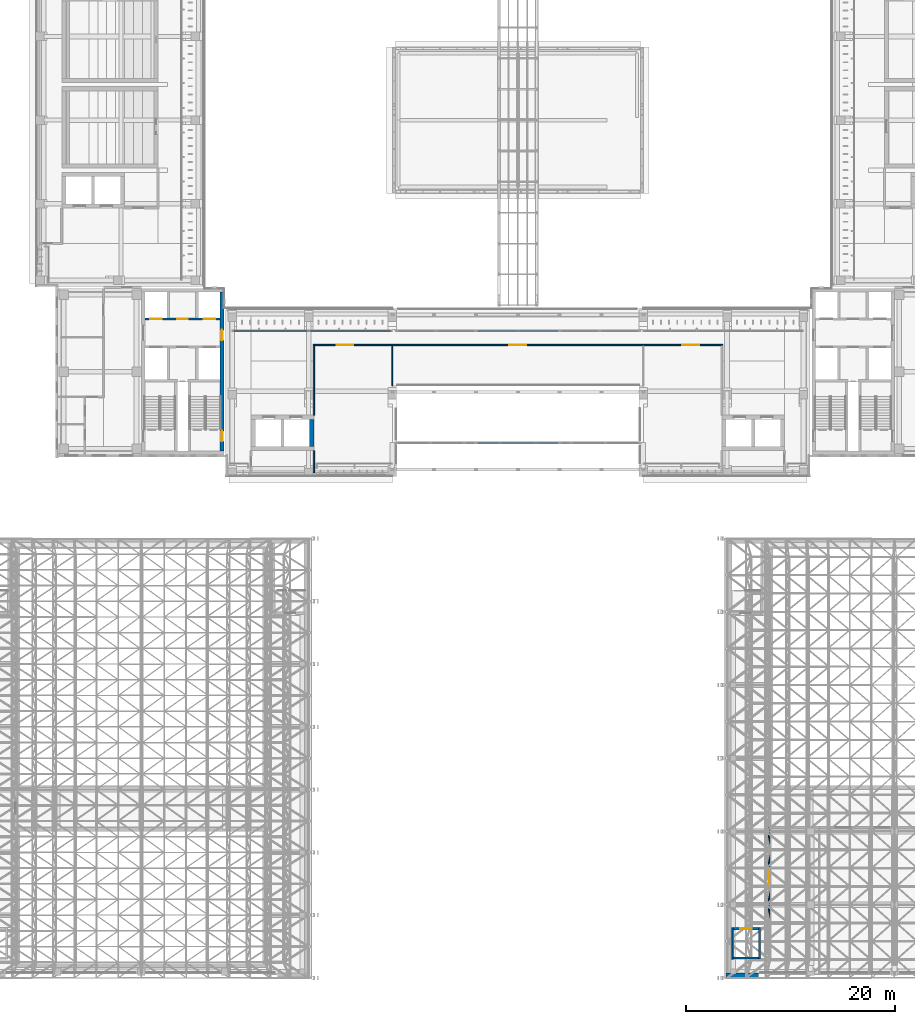
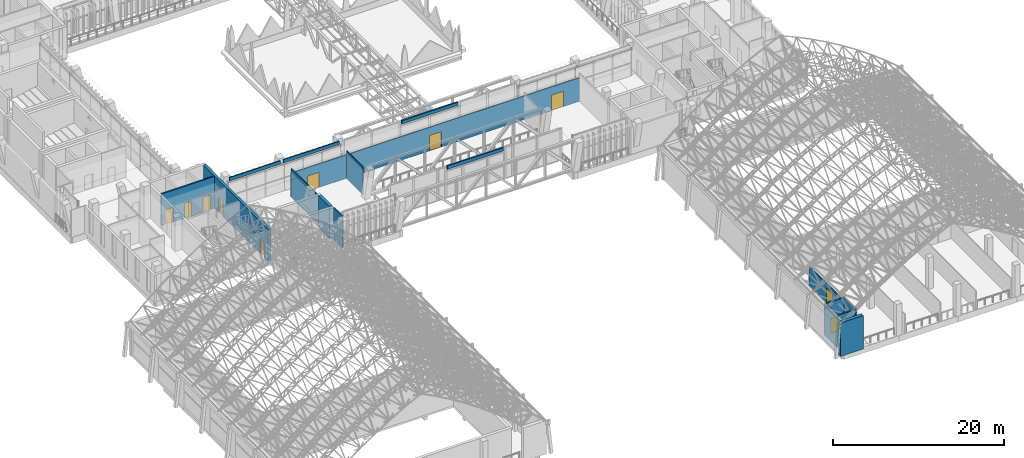
# One storey, part 105 of 141: 17 walls, 10 doors, 10 openings.
"""IFC4 building model written with IfcOpenShell, lengths in metres."""

from ifc_helpers import new_model, si_unit, direction, frame, frame_2d, origin, place, context, subcontext, project, spatial, polyline, rectangle, outline, extrude, material, layer, layer_set, type_object, element, fill, save


model = new_model("IFC4")

# Units and contexts
model_context = context("Model", 3, precision=1e-05, world=origin(), true_north=direction((0.0, 1.0)))
body_context = subcontext(model_context, "Body", "Model", "MODEL_VIEW")
ifc_project = project(units=[si_unit("LENGTHUNIT", "METRE"), si_unit("AREAUNIT", "SQUARE_METRE"), si_unit("VOLUMEUNIT", "CUBIC_METRE"), si_unit("PLANEANGLEUNIT", "RADIAN"), si_unit("MASSUNIT", "GRAM", prefix="KILO")], contexts=[model_context])

# Site, building, storey
site_placement = place(None, origin())
site = spatial("IfcSite", under=ifc_project, at=site_placement, CompositionType="ELEMENT")
building_placement = place(site_placement, origin())
building = spatial("IfcBuilding", under=site, at=building_placement, Name="Lantern Court Media Centre", CompositionType="ELEMENT")
storey_placement = place(building_placement, frame((0.0, 0.0, 9.60009765625)))
storey = spatial("IfcBuildingStorey", under=building, at=storey_placement, Name="L02", CompositionType="ELEMENT", Elevation=9.60009765625)

# Wall
ifc_material_1 = material(Name="Gypsum board partition")
ifc_layer_1 = layer(ifc_material_1, 0.125)
ifc_layer_set_1 = layer_set([ifc_layer_1], Name="Gypsum board partition")
wall_type_1 = type_object("IfcWallType", Name="Corridor partition 125", PredefinedType="PARTITIONING", material=ifc_layer_set_1)
wall_1_placement = place(storey_placement, frame((32.5, 51.800048828125, 0.0), z_axis=(0.0, 0.0, 1.0), x_axis=(0.0, 1.0, 0.0)))
element("IfcWall", 1, at=wall_1_placement, inside=storey, type_object=wall_type_1, Name="L02 partition 005", PredefinedType="PARTITIONING", context=body_context, shape_type="SweptSolid", body=[
    extrude(rectangle(XDim=6.637451171875, YDim=0.125, at=frame_2d((3.31884765625, 0.0))), origin(), (0.0, 0.0, 1.0), 4.079833984375),
])

# Wall, openings, doors
wall_2_placement = place(storey_placement, frame((32.4375, 58.5, 0.0), z_axis=(0.0, 0.0, 1.0), x_axis=(1.0, 0.0, 0.0)))
wall_2 = element("IfcWall", 2, at=wall_2_placement, inside=storey, type_object=wall_type_1, Name="L02 partition 009", PredefinedType="PARTITIONING", context=body_context, shape_type="SweptSolid", body=[
    extrude(rectangle(XDim=39.125, YDim=0.125, at=frame_2d((19.5625, 0.0))), origin(), (0.0, 0.0, 1.0), 3.3798828125),
])
opening_1_placement = place(wall_2_placement, frame((2.237548828125, 0.0, 0.0)))
opening_1 = element("IfcOpeningElement", 3, at=opening_1_placement, cuts=wall_2, Name="Opening L02-003", PredefinedType="OPENING", context=body_context, shape_type="SweptSolid", body=[
    extrude(rectangle(XDim=1.60009765625, YDim=2.199951171875, at=frame_2d((0.800048828125, 1.10009765625))), frame((0.0, 0.072509765625, 0.0), z_axis=(0.0, -1.0, 0.0), x_axis=(1.0, 0.0, 0.0)), (0.0, 0.0, 1.0), 0.14501953125),
])
opening_2_placement = place(wall_2_placement, frame((18.762451171875, 0.0, 0.0)))
opening_2 = element("IfcOpeningElement", 4, at=opening_2_placement, cuts=wall_2, Name="Opening L02-004", PredefinedType="OPENING", context=body_context, shape_type="SweptSolid", body=[
    extrude(rectangle(XDim=1.60009765625, YDim=2.199951171875, at=frame_2d((0.800048828125, 1.10009765625))), frame((0.0, 0.072509765625, 0.0), z_axis=(0.0, -1.0, 0.0), x_axis=(1.0, 0.0, 0.0)), (0.0, 0.0, 1.0), 0.14501953125),
])
opening_3_placement = place(wall_2_placement, frame((35.28759765625, 0.0, 0.0)))
opening_3 = element("IfcOpeningElement", 5, at=opening_3_placement, cuts=wall_2, Name="Opening L02-005", PredefinedType="OPENING", context=body_context, shape_type="SweptSolid", body=[
    extrude(rectangle(XDim=1.60009765625, YDim=2.199951171875, at=frame_2d((0.800048828125, 1.10009765625))), frame((0.0, 0.072509765625, 0.0), z_axis=(0.0, -1.0, 0.0), x_axis=(1.0, 0.0, 0.0)), (0.0, 0.0, 1.0), 0.14501953125),
])
ifc_material_2 = material(Name="Solid-core timber door leaf", Category="wood")
door_type_1 = type_object("IfcDoorType", Name="Double door 1600x2200", OperationType="NOTDEFINED", PredefinedType="DOOR", material=ifc_material_2)
door_1_placement = place(opening_1_placement, frame((1.60009765625, 0.0, 0.0), z_axis=(0.0, 0.0, 1.0), x_axis=(-1.0, 0.0, 0.0)))
door_1 = element("IfcDoor", 6, at=door_1_placement, inside=storey, type_object=door_type_1, Name="L02 Media Library Reading Room 01 door", OperationType="DOUBLE_DOOR_SINGLE_SWING", OverallHeight=2.199951171875, OverallWidth=1.60009765625, PredefinedType="DOOR", context=body_context, shape_type="SweptSolid", body=[
    extrude(rectangle(XDim=1.60009765625, YDim=2.199951171875, at=frame_2d((0.800048828125, 1.10009765625))), frame((0.0, 0.02490234375, 0.0), z_axis=(0.0, -1.0, 0.0), x_axis=(1.0, 0.0, 0.0)), (0.0, 0.0, 1.0), 0.050048828125),
])
fill(opening_1, door_1)
door_2_placement = place(opening_2_placement, frame((1.60009765625, 0.0, 0.0), z_axis=(0.0, 0.0, 1.0), x_axis=(-1.0, 0.0, 0.0)))
door_2 = element("IfcDoor", 7, at=door_2_placement, inside=storey, type_object=door_type_1, Name="L02 Media Library Reading Room 02 door", OperationType="DOUBLE_DOOR_SINGLE_SWING", OverallHeight=2.199951171875, OverallWidth=1.60009765625, PredefinedType="DOOR", context=body_context, shape_type="SweptSolid", body=[
    extrude(rectangle(XDim=1.60009765625, YDim=2.199951171875, at=frame_2d((0.800048828125, 1.10009765625))), frame((0.0, 0.02490234375, 0.0), z_axis=(0.0, -1.0, 0.0), x_axis=(1.0, 0.0, 0.0)), (0.0, 0.0, 1.0), 0.050048828125),
])
fill(opening_2, door_2)
door_3_placement = place(opening_3_placement, frame((1.60009765625, 0.0, 0.0), z_axis=(0.0, 0.0, 1.0), x_axis=(-1.0, 0.0, 0.0)))
door_3 = element("IfcDoor", 8, at=door_3_placement, inside=storey, type_object=door_type_1, Name="L02 Digital Media Lab door", OperationType="DOUBLE_DOOR_SINGLE_SWING", OverallHeight=2.199951171875, OverallWidth=1.60009765625, PredefinedType="DOOR", context=body_context, shape_type="SweptSolid", body=[
    extrude(rectangle(XDim=1.60009765625, YDim=2.199951171875, at=frame_2d((0.800048828125, 1.10009765625))), frame((0.0, 0.02490234375, 0.0), z_axis=(0.0, -1.0, 0.0), x_axis=(1.0, 0.0, 0.0)), (0.0, 0.0, 1.0), 0.050048828125),
])
fill(opening_3, door_3)

# Wall, opening, door
wall_3_placement = place(storey_placement, frame((76.0, 2.800048828125, 0.0), z_axis=(0.0, 0.0, 1.0), x_axis=(0.0, 1.0, 0.0)))
wall_3 = element("IfcWall", 9, at=wall_3_placement, inside=storey, type_object=wall_type_1, Name="L02 partition 062", PredefinedType="PARTITIONING", context=body_context, shape_type="SweptSolid", body=[
    extrude(rectangle(XDim=9.537353515625, YDim=0.125, at=frame_2d((4.7685546875, 0.0))), origin(), (0.0, 0.0, 1.0), 2.77978515625),
])
opening_4_placement = place(wall_3_placement, frame((4.10009765625, 0.0, 0.0)))
opening_4 = element("IfcOpeningElement", 10, at=opening_4_placement, cuts=wall_3, Name="Opening L02-048", PredefinedType="OPENING", context=body_context, shape_type="SweptSolid", body=[
    extrude(rectangle(XDim=1.39990234375, YDim=2.199951171875, at=frame_2d((0.699951171875, 1.10009765625))), frame((0.0, 0.072509765625, 0.0), z_axis=(0.0, -1.0, 0.0), x_axis=(1.0, 0.0, 0.0)), (0.0, 0.0, 1.0), 0.14501953125),
])
door_type_2 = type_object("IfcDoorType", Name="Double door 1400x2200", OperationType="NOTDEFINED", PredefinedType="DOOR", material=ifc_material_2)
door_4_placement = place(opening_4_placement, frame((1.39990234375, 0.0, 0.0), z_axis=(0.0, 0.0, 1.0), x_axis=(-1.0, 0.0, 0.0)))
door_4 = element("IfcDoor", 11, at=door_4_placement, inside=storey, type_object=door_type_2, Name="L02 Scenery and Props Store door", OperationType="DOUBLE_DOOR_SINGLE_SWING", OverallHeight=2.199951171875, OverallWidth=1.39990234375, PredefinedType="DOOR", context=body_context, shape_type="SweptSolid", body=[
    extrude(rectangle(XDim=1.39990234375, YDim=2.199951171875, at=frame_2d((0.699951171875, 1.10009765625))), frame((0.0, 0.02490234375, 0.0), z_axis=(0.0, -1.0, 0.0), x_axis=(1.0, 0.0, 0.0)), (0.0, 0.0, 1.0), 0.050048828125),
])
fill(opening_4, door_4)

# Wall, openings, doors
ifc_material_3 = material(Name="Concrete C40", Category="concrete")
ifc_layer_2 = layer(ifc_material_3, 0.199951171875)
ifc_layer_set_2 = layer_set([ifc_layer_2], Name="Concrete C40")
wall_type_2 = type_object("IfcWallType", Name="Fire lobby wall 200", PredefinedType="SOLIDWALL", material=ifc_layer_set_2)
wall_4_placement = place(storey_placement, frame((16.35009765625, 61.0, 0.0), z_axis=(0.0, 0.0, 1.0), x_axis=(1.0, 0.0, 0.0)))
wall_4 = element("IfcWall", 12, at=wall_4_placement, inside=storey, type_object=wall_type_2, Name="L02 SW FW2", PredefinedType="SOLIDWALL", context=body_context, shape_type="SweptSolid", body=[
    extrude(rectangle(XDim=7.199951171875, YDim=0.199951171875, at=frame_2d((3.60009765625, 0.0))), origin(), (0.0, 0.0, 1.0), 4.5498046875),
])
opening_5_placement = place(wall_4_placement, frame((0.5, 0.0, 0.0)))
opening_5 = element("IfcOpeningElement", 13, at=opening_5_placement, cuts=wall_4, Name="Opening LD-SWP2-L02", PredefinedType="OPENING", context=body_context, shape_type="SweptSolid", body=[
    extrude(rectangle(XDim=1.10009765625, YDim=2.10009765625, at=frame_2d((0.550048828125, 1.050048828125))), frame((0.0, 0.10986328125, 0.0), z_axis=(0.0, -1.0, 0.0), x_axis=(1.0, 0.0, 0.0)), (0.0, 0.0, 1.0), 0.219970703125),
])
opening_6_placement = place(wall_4_placement, frame((5.60009765625, 0.0, 0.0)))
opening_6 = element("IfcOpeningElement", 14, at=opening_6_placement, cuts=wall_4, Name="Opening LD-SWP3-L02", PredefinedType="OPENING", context=body_context, shape_type="SweptSolid", body=[
    extrude(rectangle(XDim=1.10009765625, YDim=2.10009765625, at=frame_2d((0.550048828125, 1.050048828125))), frame((0.0, 0.10986328125, 0.0), z_axis=(0.0, -1.0, 0.0), x_axis=(1.0, 0.0, 0.0)), (0.0, 0.0, 1.0), 0.219970703125),
])
opening_7_placement = place(wall_4_placement, frame((3.10009765625, 0.0, 0.0)))
opening_7 = element("IfcOpeningElement", 15, at=opening_7_placement, cuts=wall_4, Name="Opening SW-L02-04", PredefinedType="OPENING", context=body_context, shape_type="SweptSolid", body=[
    extrude(rectangle(XDim=1.0, YDim=2.10009765625, at=frame_2d((0.5, 1.050048828125))), frame((0.0, 0.10986328125, 0.0), z_axis=(0.0, -1.0, 0.0), x_axis=(1.0, 0.0, 0.0)), (0.0, 0.0, 1.0), 0.219970703125),
])
ifc_material_4 = material(Name="Steel door leaf", Category="steel")
door_type_3 = type_object("IfcDoorType", Name="Lift landing door 1100x2100", OperationType="DOUBLE_DOOR_SLIDING", PredefinedType="DOOR", material=ifc_material_4)
door_5_placement = place(opening_5_placement, frame((1.10009765625, 0.0, 0.0), z_axis=(0.0, 0.0, 1.0), x_axis=(-1.0, 0.0, 0.0)))
door_5 = element("IfcDoor", 16, at=door_5_placement, inside=storey, type_object=door_type_3, Name="L02 SW lift P2 landing door", OperationType="DOUBLE_DOOR_SLIDING", OverallHeight=2.10009765625, OverallWidth=1.10009765625, PredefinedType="DOOR", context=body_context, shape_type="SweptSolid", body=[
    extrude(rectangle(XDim=1.10009765625, YDim=2.10009765625, at=frame_2d((0.550048828125, 1.050048828125))), frame((0.0, 0.02490234375, 0.0), z_axis=(0.0, -1.0, 0.0), x_axis=(1.0, 0.0, 0.0)), (0.0, 0.0, 1.0), 0.050048828125),
])
fill(opening_5, door_5)
door_6_placement = place(opening_6_placement, frame((1.10009765625, 0.0, 0.0), z_axis=(0.0, 0.0, 1.0), x_axis=(-1.0, 0.0, 0.0)))
door_6 = element("IfcDoor", 17, at=door_6_placement, inside=storey, type_object=door_type_3, Name="L02 SW lift P3 landing door", OperationType="DOUBLE_DOOR_SLIDING", OverallHeight=2.10009765625, OverallWidth=1.10009765625, PredefinedType="DOOR", context=body_context, shape_type="SweptSolid", body=[
    extrude(rectangle(XDim=1.10009765625, YDim=2.10009765625, at=frame_2d((0.550048828125, 1.050048828125))), frame((0.0, 0.02490234375, 0.0), z_axis=(0.0, -1.0, 0.0), x_axis=(1.0, 0.0, 0.0)), (0.0, 0.0, 1.0), 0.050048828125),
])
fill(opening_6, door_6)
door_type_4 = type_object("IfcDoorType", Name="Service door 1000x2100", OperationType="NOTDEFINED", PredefinedType="DOOR", material=ifc_material_4)
door_7_placement = place(opening_7_placement, frame((1.0, 0.0, 0.0), z_axis=(0.0, 0.0, 1.0), x_axis=(-1.0, 0.0, 0.0)))
door_7 = element("IfcDoor", 18, at=door_7_placement, inside=storey, type_object=door_type_4, Name="L02 SW accessible WC door", OperationType="SINGLE_SWING_RIGHT", OverallHeight=2.10009765625, OverallWidth=1.0, PredefinedType="DOOR", context=body_context, shape_type="SweptSolid", body=[
    extrude(rectangle(XDim=1.0, YDim=2.10009765625, at=frame_2d((0.5, 1.050048828125))), frame((0.0, 0.02490234375, 0.0), z_axis=(0.0, -1.0, 0.0), x_axis=(1.0, 0.0, 0.0)), (0.0, 0.0, 1.0), 0.050048828125),
])
fill(opening_7, door_7)

# Walls
ifc_material_5 = material(Name="Limestone masonry, insulated", Category="masonry")
ifc_layer_3 = layer(ifc_material_5, 0.449951171875)
ifc_layer_set_3 = layer_set([ifc_layer_3], Name="Limestone masonry, insulated")
wall_type_3 = type_object("IfcWallType", Name="Hall wall, stone-faced masonry 450", PredefinedType="SOLIDWALL", material=ifc_layer_set_3)
wall_5_placement = place(storey_placement, frame((71.89892578125, -1.77490234375, 0.0), z_axis=(0.0, 0.0, 1.0), x_axis=(1.0, 0.0, 0.0)))
element("IfcWall", 19, at=wall_5_placement, inside=storey, type_object=wall_type_3, Name="Studio Hall south gable L02", PredefinedType="SOLIDWALL", context=body_context, shape_type="SweptSolid", body=[
    extrude(outline(polyline([(0.0, 0.0), (3.10107421875, 0.0), (3.10107421875, 4.7998046875), (2.8623046875, 4.7998046875), (2.623779296875, 4.7998046875), (2.385498046875, 4.7998046875), (2.146728515625, 4.7998046875), (1.908203125, 4.7998046875), (1.669921875, 4.7998046875), (1.43115234375, 4.7998046875), (1.192626953125, 4.7998046875), (0.9541015625, 4.7998046875), (0.715576171875, 4.7998046875), (0.47705078125, 4.7998046875), (0.27392578125, 4.7998046875), (0.238525390625, 4.769287109375), (0.0, 4.561767578125), (0.0, 0.0)])), frame((0.0, 0.22509765625, 0.0), z_axis=(0.0, -1.0, 0.0), x_axis=(1.0, 0.0, 0.0)), (0.0, 0.0, 1.0), 0.449951171875),
])
ifc_material_6 = material(Name="Insulated rendered blockwork", Category="masonry")
ifc_layer_4 = layer(ifc_material_6, 0.14990234375)
ifc_layer_set_4 = layer_set([ifc_layer_4], Name="Insulated rendered blockwork")
wall_type_4 = type_object("IfcWallType", Name="Head infill wall 150", PredefinedType="SOLIDWALL", material=ifc_layer_set_4)
wall_6_placement = place(storey_placement, frame((24.89990234375, 59.85009765625, 4.099853515625), z_axis=(0.0, 0.0, 1.0), x_axis=(1.0, 0.0, 0.0)))
element("IfcWall", 20, at=wall_6_placement, inside=storey, type_object=wall_type_4, Name="Head infill wall S inner L02", PredefinedType="SOLIDWALL", context=body_context, shape_type="SweptSolid", body=[
    extrude(rectangle(XDim=6.900146484375, YDim=0.14990234375, at=frame_2d((3.4501953125, 0.0))), origin(), (0.0, 0.0, 1.0), 0.47998046875),
])
wall_7_placement = place(storey_placement, frame((32.199951171875, 59.85009765625, 4.099853515625), z_axis=(0.0, 0.0, 1.0), x_axis=(1.0, 0.0, 0.0)))
element("IfcWall", 21, at=wall_7_placement, inside=storey, type_object=wall_type_4, Name="Head infill wall S inner L02", PredefinedType="SOLIDWALL", context=body_context, shape_type="SweptSolid", body=[
    extrude(rectangle(XDim=7.60009765625, YDim=0.14990234375, at=frame_2d((3.800048828125, 0.0))), origin(), (0.0, 0.0, 1.0), 0.47998046875),
])
ifc_layer_5 = layer(ifc_material_6, 0.199951171875)
ifc_layer_set_5 = layer_set([ifc_layer_5], Name="Insulated rendered blockwork")
wall_type_5 = type_object("IfcWallType", Name="Head infill wall 200", PredefinedType="SOLIDWALL", material=ifc_layer_set_5)
for number, where, z_axis, x_axis, name in (
    (22, (48.199951171875, 49.14990234375, 4.099853515625), (0.0, 0.0, 1.0), (1.0, 0.0, 0.0), "Head infill wall S hall"),
    (23, (48.199951171875, 59.85009765625, 4.099853515625), (0.0, 0.0, 1.0), (1.0, 0.0, 0.0), "Head infill wall S hall"),
):
    element("IfcWall", number, at=place(storey_placement, frame(where, z_axis=z_axis, x_axis=x_axis)), inside=storey, type_object=wall_type_5, Name=name, PredefinedType="SOLIDWALL", context=body_context, shape_type="SweptSolid", body=[
        extrude(rectangle(XDim=7.60009765625, YDim=0.199951171875, at=frame_2d((3.800048828125, 0.0))), origin(), (0.0, 0.0, 1.0), 0.47998046875),
    ])
ifc_layer_6 = layer(ifc_material_1, 0.10009765625)
ifc_layer_set_6 = layer_set([ifc_layer_6], Name="Gypsum board partition")
wall_type_6 = type_object("IfcWallType", Name="Partition 100", PredefinedType="PARTITIONING", material=ifc_layer_set_6)
wall_8_placement = place(storey_placement, frame((40.0, 54.60009765625, 0.0), z_axis=(0.0, 0.0, 1.0), x_axis=(0.0, 1.0, 0.0)))
element("IfcWall", 24, at=wall_8_placement, inside=storey, type_object=wall_type_6, Name="L02 partition 008", PredefinedType="PARTITIONING", context=body_context, shape_type="SweptSolid", body=[
    extrude(rectangle(XDim=3.83740234375, YDim=0.10009765625, at=frame_2d((1.918701171875, 0.0))), origin(), (0.0, 0.0, 1.0), 3.97998046875),
])

# Wall, openings, doors
ifc_layer_7 = layer(ifc_material_3, 0.35009765625)
ifc_layer_set_7 = layer_set([ifc_layer_7], Name="Concrete C40")
wall_type_7 = type_object("IfcWallType", Name="RC CORE WALL 350", PredefinedType="SHEAR", material=ifc_layer_set_7)
wall_9_placement = place(storey_placement, frame((23.72509765625, 48.35009765625, 0.0), z_axis=(0.0, 0.0, 1.0), x_axis=(0.0, 1.0, 0.0)))
wall_9 = element("IfcWall", 25, at=wall_9_placement, inside=storey, type_object=wall_type_7, Name="WC-SW-L02-E", PredefinedType="SHEAR", context=body_context, shape_type="SweptSolid", body=[
    extrude(rectangle(XDim=15.199951171875, YDim=0.35009765625, at=frame_2d((7.60009765625, 0.0))), origin(), (0.0, 0.0, 1.0), 4.579833984375),
])
opening_8_placement = place(wall_9_placement, frame((0.949951171875, 0.0, 0.0)))
opening_8 = element("IfcOpeningElement", 26, at=opening_8_placement, cuts=wall_9, Name="Opening SW-L02-02", PredefinedType="OPENING", context=body_context, shape_type="SweptSolid", body=[
    extrude(rectangle(XDim=1.0, YDim=2.10009765625, at=frame_2d((0.5, 1.050048828125))), frame((0.0, 0.18505859375, 0.0), z_axis=(0.0, -1.0, 0.0), x_axis=(1.0, 0.0, 0.0)), (0.0, 0.0, 1.0), 0.3701171875),
])
opening_9_placement = place(wall_9_placement, frame((10.60009765625, 0.0, 0.0)))
opening_9 = element("IfcOpeningElement", 27, at=opening_9_placement, cuts=wall_9, Name="Opening SW-L02-06", PredefinedType="OPENING", context=body_context, shape_type="SweptSolid", body=[
    extrude(rectangle(XDim=1.0, YDim=2.10009765625, at=frame_2d((0.5, 1.050048828125))), frame((0.0, 0.18505859375, 0.0), z_axis=(0.0, -1.0, 0.0), x_axis=(1.0, 0.0, 0.0)), (0.0, 0.0, 1.0), 0.3701171875),
])
door_type_5 = type_object("IfcDoorType", Name="Lift lobby single door 1000x2100", OperationType="NOTDEFINED", PredefinedType="DOOR", material=ifc_material_4)
door_8_placement = place(opening_9_placement, frame((1.0, 0.0, 0.0), z_axis=(0.0, 0.0, 1.0), x_axis=(-1.0, 0.0, 0.0)))
door_8 = element("IfcDoor", 28, at=door_8_placement, inside=storey, type_object=door_type_5, Name="L02 SW lift lobby east door", OperationType="SINGLE_SWING_RIGHT", OverallHeight=2.10009765625, OverallWidth=1.0, PredefinedType="DOOR", context=body_context, shape_type="SweptSolid", body=[
    extrude(rectangle(XDim=1.0, YDim=2.10009765625, at=frame_2d((0.5, 1.050048828125))), frame((0.0, 0.02490234375, 0.0), z_axis=(0.0, -1.0, 0.0), x_axis=(1.0, 0.0, 0.0)), (0.0, 0.0, 1.0), 0.050048828125),
])
fill(opening_9, door_8)
door_type_6 = type_object("IfcDoorType", Name="Stair door 1000x2100", OperationType="NOTDEFINED", PredefinedType="DOOR", material=ifc_material_4)
door_9_placement = place(opening_8_placement, frame((1.0, 0.0, 0.0), z_axis=(0.0, 0.0, 1.0), x_axis=(-1.0, 0.0, 0.0)))
door_9 = element("IfcDoor", 29, at=door_9_placement, inside=storey, type_object=door_type_6, Name="L02 SW stair B door", OperationType="SINGLE_SWING_RIGHT", OverallHeight=2.10009765625, OverallWidth=1.0, PredefinedType="DOOR", context=body_context, shape_type="SweptSolid", body=[
    extrude(rectangle(XDim=1.0, YDim=2.10009765625, at=frame_2d((0.5, 1.050048828125))), frame((0.0, 0.02490234375, 0.0), z_axis=(0.0, -1.0, 0.0), x_axis=(1.0, 0.0, 0.0)), (0.0, 0.0, 1.0), 0.050048828125),
])
fill(opening_8, door_9)

# Walls
ifc_layer_8 = layer(ifc_material_3, 0.39990234375)
ifc_layer_set_8 = layer_set([ifc_layer_8], Name="Concrete C40")
wall_type_8 = type_object("IfcWallType", Name="RC SHEAR WALL 400", PredefinedType="SHEAR", material=ifc_layer_set_8)
wall_10_placement = place(storey_placement, frame((32.300048828125, 48.800048828125, 0.0), z_axis=(0.0, 0.0, 1.0), x_axis=(0.0, 1.0, 0.0)))
element("IfcWall", 30, at=wall_10_placement, inside=storey, type_object=wall_type_8, Name="WB-S-LC1-L02-E", PredefinedType="SHEAR", context=body_context, shape_type="SweptSolid", body=[
    extrude(rectangle(XDim=2.599853515625, YDim=0.39990234375, at=frame_2d((1.2998046875, 0.0))), origin(), (0.0, 0.0, 1.0), 4.579833984375),
])
ifc_layer_9 = layer(ifc_material_3, 0.14990234375)
ifc_layer_set_9 = layer_set([ifc_layer_9], Name="Concrete C40")
wall_type_9 = type_object("IfcWallType", Name="RC lift shaft wall 150", PredefinedType="SOLIDWALL", material=ifc_layer_set_9)
wall_11_placement = place(storey_placement, frame((72.52490234375, -0.199951171875, 0.0), z_axis=(0.0, 0.0, 1.0), x_axis=(0.0, 1.0, 0.0)))
element("IfcWall", 31, at=wall_11_placement, inside=storey, type_object=wall_type_9, Name="L02 V2-LIFT shaft wall W", PredefinedType="SOLIDWALL", context=body_context, shape_type="SweptSolid", body=[
    extrude(rectangle(XDim=3.0, YDim=0.14990234375, at=frame_2d((1.5, 0.0))), origin(), (0.0, 0.0, 1.0), 4.5498046875),
])
ifc_layer_10 = layer(ifc_material_3, 0.199951171875)
ifc_layer_set_10 = layer_set([ifc_layer_10], Name="Concrete C40")
wall_type_10 = type_object("IfcWallType", Name="RC lift shaft wall 200", PredefinedType="SOLIDWALL", material=ifc_layer_set_10)
wall_12_placement = place(storey_placement, frame((75.10009765625, -0.199951171875, 0.0), z_axis=(0.0, 0.0, 1.0), x_axis=(0.0, 1.0, 0.0)))
element("IfcWall", 32, at=wall_12_placement, inside=storey, type_object=wall_type_10, Name="L02 V2-LIFT shaft wall E", PredefinedType="SOLIDWALL", context=body_context, shape_type="SweptSolid", body=[
    extrude(rectangle(XDim=3.0, YDim=0.199951171875, at=frame_2d((1.5, 0.0))), origin(), (0.0, 0.0, 1.0), 4.5498046875),
])
wall_13_placement = place(storey_placement, frame((72.60009765625, -0.10009765625, 0.0), z_axis=(0.0, 0.0, 1.0), x_axis=(1.0, 0.0, 0.0)))
element("IfcWall", 33, at=wall_13_placement, inside=storey, type_object=wall_type_10, Name="L02 V2-LIFT shaft wall S", PredefinedType="SOLIDWALL", context=body_context, shape_type="SweptSolid", body=[
    extrude(rectangle(XDim=2.39990234375, YDim=0.199951171875, at=frame_2d((1.199951171875, 0.0))), origin(), (0.0, 0.0, 1.0), 4.5498046875),
])

# Wall, opening, door
wall_14_placement = place(storey_placement, frame((72.60009765625, 2.699951171875, 0.0), z_axis=(0.0, 0.0, 1.0), x_axis=(1.0, 0.0, 0.0)))
wall_14 = element("IfcWall", 34, at=wall_14_placement, inside=storey, type_object=wall_type_10, Name="L02 V2-LIFT shaft wall N", PredefinedType="SOLIDWALL", context=body_context, shape_type="SweptSolid", body=[
    extrude(rectangle(XDim=2.39990234375, YDim=0.199951171875, at=frame_2d((1.199951171875, 0.0))), origin(), (0.0, 0.0, 1.0), 4.5498046875),
])
opening_10_placement = place(wall_14_placement, frame((0.64990234375, 0.0, 0.0)))
opening_10 = element("IfcOpeningElement", 35, at=opening_10_placement, cuts=wall_14, Name="Opening LD-V2-LIFT-L02", PredefinedType="OPENING", context=body_context, shape_type="SweptSolid", body=[
    extrude(rectangle(XDim=1.10009765625, YDim=2.10009765625, at=frame_2d((0.550048828125, 1.050048828125))), frame((0.0, 0.10986328125, 0.0), z_axis=(0.0, -1.0, 0.0), x_axis=(1.0, 0.0, 0.0)), (0.0, 0.0, 1.0), 0.219970703125),
])
door_10_placement = place(opening_10_placement, origin())
door_10 = element("IfcDoor", 36, at=door_10_placement, inside=storey, type_object=door_type_3, Name="L02 V2-LIFT lift landing door", OperationType="DOUBLE_DOOR_SLIDING", OverallHeight=2.10009765625, OverallWidth=1.10009765625, PredefinedType="DOOR", context=body_context, shape_type="SweptSolid", body=[
    extrude(rectangle(XDim=1.10009765625, YDim=2.10009765625, at=frame_2d((0.550048828125, 1.050048828125))), frame((0.0, 0.02490234375, 0.0), z_axis=(0.0, -1.0, 0.0), x_axis=(1.0, 0.0, 0.0)), (0.0, 0.0, 1.0), 0.050048828125),
])
fill(opening_10, door_10)

# Wall
ifc_material_7 = material(Name="Fire-rated gypsum board")
ifc_layer_11 = layer(ifc_material_7, 0.159912109375)
ifc_layer_set_11 = layer_set([ifc_layer_11], Name="Fire-rated gypsum board")
wall_type_11 = type_object("IfcWallType", Name="Riser shaft liner wall 160", PredefinedType="PARTITIONING", material=ifc_layer_set_11)
wall_15_placement = place(storey_placement, frame((32.5, 46.300048828125, 0.0), z_axis=(0.0, 0.0, 1.0), x_axis=(0.0, 1.0, 0.0)))
element("IfcWall", 37, at=wall_15_placement, inside=storey, type_object=wall_type_11, Name="L02 partition 004", PredefinedType="PARTITIONING", context=body_context, shape_type="SweptSolid", body=[
    extrude(rectangle(XDim=2.099853515625, YDim=0.159912109375, at=frame_2d((1.0498046875, 0.0))), origin(), (0.0, 0.0, 1.0), 4.559814453125),
])

save(model, "model.ifc")
